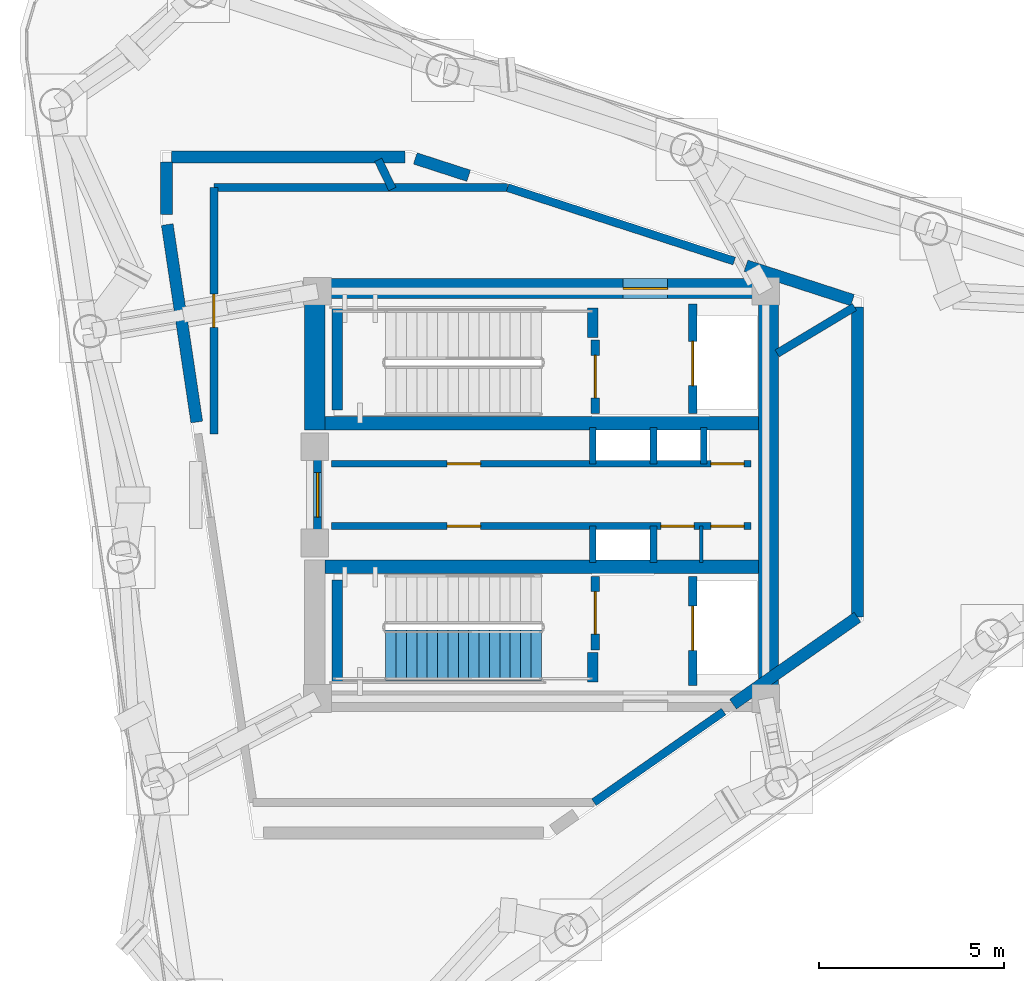
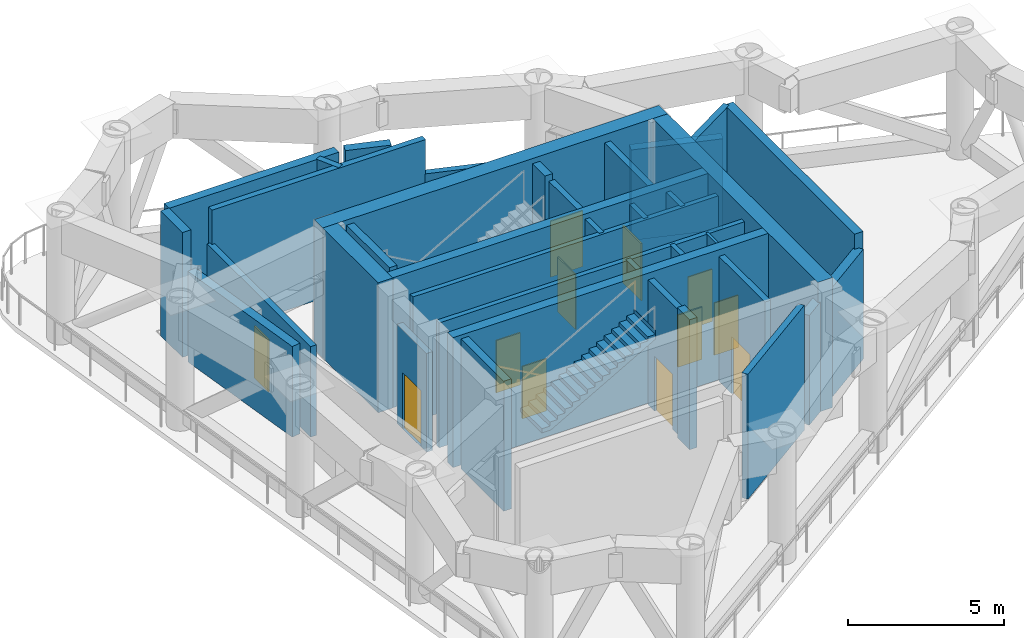
# One storey, part 4 of 9: 35 walls, 12 doors, 1 stair flight, 12 openings, 1 element without a shape of its own.
"""IFC4 building model written with IfcOpenShell, lengths in metres."""

from ifc_helpers import new_model, si_unit, direction, frame, frame_2d, origin, place, context, subcontext, project, spatial, polyline, rectangle, outline, extrude, material, layer, layer_set, type_object, element, fill, aggregate, save


model = new_model("IFC4")

# Units and contexts
model_context = context("Model", 3, precision=1e-05, world=origin(), true_north=direction((0.0, 1.0)))
body_context = subcontext(model_context, "Body", "Model", "MODEL_VIEW")
ifc_project = project(units=[si_unit("LENGTHUNIT", "METRE"), si_unit("AREAUNIT", "SQUARE_METRE"), si_unit("VOLUMEUNIT", "CUBIC_METRE"), si_unit("PLANEANGLEUNIT", "RADIAN"), si_unit("MASSUNIT", "GRAM", prefix="KILO")], contexts=[model_context])

# Site, building, storey
site_placement = place(None, origin())
site = spatial("IfcSite", under=ifc_project, at=site_placement, CompositionType="ELEMENT")
building_placement = place(site_placement, origin())
building = spatial("IfcBuilding", under=site, at=building_placement, Name="Yunling Apex Tower", CompositionType="ELEMENT")
storey_placement = place(building_placement, frame((0.0, 0.0, 284.75)))
storey = spatial("IfcBuildingStorey", under=building, at=storey_placement, Name="RF8", CompositionType="ELEMENT", Elevation=284.75)

# Wall, opening, door
ifc_material_1 = material(Name="Concrete C40", Category="concrete")
ifc_layer_1 = layer(ifc_material_1, 0.550048828125)
ifc_layer_set_1 = layer_set([ifc_layer_1], Name="Concrete C40")
wall_type_1 = type_object("IfcWallType", Name="WL-COR-3", PredefinedType="SHEAR", material=ifc_layer_set_1)
wall_1_placement = place(storey_placement, frame((-6.39990234375, 5.574951171875, 0.0), z_axis=(0.0, 0.0, 1.0), x_axis=(1.0, 0.0, 0.0)))
wall_1 = element("IfcWall", 1, at=wall_1_placement, inside=storey, type_object=wall_type_1, Name="RF8 North Core Shear Wall", PredefinedType="SHEAR", context=body_context, shape_type="SweptSolid", body=[
    extrude(rectangle(XDim=12.7998046875, YDim=0.550048828125, at=frame_2d((6.39990234375, 0.0))), origin(), (0.0, 0.0, 1.0), 5.10009765625),
])
opening_1_placement = place(wall_1_placement, frame((8.60009765625, 0.0, 0.0)))
opening_1 = element("IfcOpeningElement", 2, at=opening_1_placement, cuts=wall_1, Name="Opening DR-FFL-1", PredefinedType="OPENING", context=body_context, shape_type="SweptSolid", body=[
    extrude(rectangle(XDim=1.199951171875, YDim=2.199951171875, at=frame_2d((0.60009765625, 1.10009765625))), frame((0.0, 0.28515625, 0.0), z_axis=(0.0, -1.0, 0.0), x_axis=(1.0, 0.0, 0.0)), (0.0, 0.0, 1.0), 0.570068359375),
])
ifc_material_2 = material(Name="Steel Q355B", Category="steel")
door_type_1 = type_object("IfcDoorType", Name="DR-FFL-1", OperationType="NOTDEFINED", PredefinedType="DOOR", material=ifc_material_2)
door_1_placement = place(opening_1_placement, origin())
door_1 = element("IfcDoor", 3, at=door_1_placement, inside=storey, type_object=door_type_1, Name="RF8 North Firefighting Lobby Door", OperationType="SINGLE_SWING_LEFT", OverallHeight=2.199951171875, OverallWidth=1.199951171875, PredefinedType="DOOR", context=body_context, shape_type="SweptSolid", body=[
    extrude(rectangle(XDim=1.199951171875, YDim=2.199951171875, at=frame_2d((0.60009765625, 1.10009765625))), frame((0.0, 0.02490234375, 0.0), z_axis=(0.0, -1.0, 0.0), x_axis=(1.0, 0.0, 0.0)), (0.0, 0.0, 1.0), 0.050048828125),
])
fill(opening_1, door_1)

# Walls
wall_2_placement = place(storey_placement, frame((6.125, -5.300048828125, 0.0), z_axis=(0.0, 0.0, 1.0), x_axis=(0.0, 1.0, 0.0)))
element("IfcWall", 4, at=wall_2_placement, inside=storey, type_object=wall_type_1, Name="RF8 East Core Shear Wall", PredefinedType="SHEAR", context=body_context, shape_type="SweptSolid", body=[
    extrude(rectangle(XDim=10.60009765625, YDim=0.550048828125, at=frame_2d((5.300048828125, 0.0))), origin(), (0.0, 0.0, 1.0), 5.10009765625),
])
wall_3_placement = place(storey_placement, frame((-6.125, 1.75, 0.0), z_axis=(0.0, 0.0, 1.0), x_axis=(0.0, 1.0, 0.0)))
element("IfcWall", 5, at=wall_3_placement, inside=storey, type_object=wall_type_1, Name="RF8 West-North Core Shear Wall", PredefinedType="SHEAR", context=body_context, shape_type="SweptSolid", body=[
    extrude(rectangle(XDim=3.550048828125, YDim=0.550048828125, at=frame_2d((1.77490234375, 0.0))), origin(), (0.0, 0.0, 1.0), 5.10009765625),
])
ifc_layer_2 = layer(ifc_material_1, 0.360107421875)
ifc_layer_set_2 = layer_set([ifc_layer_2], Name="Concrete C40")
wall_type_2 = type_object("IfcWallType", Name="WL-COR-4", PredefinedType="SHEAR", material=ifc_layer_set_2)
for number, where, z_axis, x_axis, name in (
    (6, (-5.85009765625, 1.93994140625, 0.0), (0.0, 0.0, 1.0), (1.0, 0.0, 0.0), "RF8 North Internal Core Shear Wall"),
    (7, (-5.85009765625, -1.93994140625, 0.0), (0.0, 0.0, 1.0), (1.0, 0.0, 0.0), "RF8 South Internal Core Shear Wall"),
):
    element("IfcWall", number, at=place(storey_placement, frame(where, z_axis=z_axis, x_axis=x_axis)), inside=storey, type_object=wall_type_2, Name=name, PredefinedType="SHEAR", context=body_context, shape_type="SweptSolid", body=[
        extrude(rectangle(XDim=11.7001953125, YDim=0.360107421875, at=frame_2d((5.85009765625, 0.0))), origin(), (0.0, 0.0, 1.0), 5.10009765625),
    ])
ifc_layer_3 = layer(ifc_material_1, 0.280029296875)
ifc_layer_set_3 = layer_set([ifc_layer_3], Name="Concrete C40")
wall_type_3 = type_object("IfcWallType", Name="WL-COR-8", PredefinedType="SHEAR", material=ifc_layer_set_3)
wall_4_placement = place(storey_placement, frame((-5.52001953125, 2.300048828125, 0.0), z_axis=(0.0, 0.0, 1.0), x_axis=(0.0, 1.0, 0.0)))
element("IfcWall", 8, at=wall_4_placement, inside=storey, type_object=wall_type_3, Name="RF8 ST-1 West Landing Bearing Wall", PredefinedType="SHEAR", context=body_context, shape_type="SweptSolid", body=[
    extrude(rectangle(XDim=2.75, YDim=0.280029296875, at=frame_2d((1.375, 0.0))), origin(), (0.0, 0.0, 1.0), 5.10009765625),
])
wall_5_placement = place(storey_placement, frame((1.3798828125, 4.25, 0.0), z_axis=(0.0, 0.0, 1.0), x_axis=(0.0, 1.0, 0.0)))
element("IfcWall", 9, at=wall_5_placement, inside=storey, type_object=wall_type_3, Name="RF8 ST-1 East Landing Bearing Pier", PredefinedType="SHEAR", context=body_context, shape_type="SweptSolid", body=[
    extrude(rectangle(XDim=0.800048828125, YDim=0.280029296875, at=frame_2d((0.39990234375, 0.0))), origin(), (0.0, 0.0, 1.0), 5.10009765625),
])
wall_6_placement = place(storey_placement, frame((-5.52001953125, -5.050048828125, 0.0), z_axis=(0.0, 0.0, 1.0), x_axis=(0.0, 1.0, 0.0)))
element("IfcWall", 10, at=wall_6_placement, inside=storey, type_object=wall_type_3, Name="RF8 ST-2 West Landing Bearing Wall", PredefinedType="SHEAR", context=body_context, shape_type="SweptSolid", body=[
    extrude(rectangle(XDim=2.75, YDim=0.280029296875, at=frame_2d((1.375, 0.0))), origin(), (0.0, 0.0, 1.0), 5.10009765625),
])
wall_7_placement = place(storey_placement, frame((1.3798828125, -5.050048828125, 0.0), z_axis=(0.0, 0.0, 1.0), x_axis=(0.0, 1.0, 0.0)))
element("IfcWall", 11, at=wall_7_placement, inside=storey, type_object=wall_type_3, Name="RF8 ST-2 East Landing Bearing Pier", PredefinedType="SHEAR", context=body_context, shape_type="SweptSolid", body=[
    extrude(rectangle(XDim=0.800048828125, YDim=0.280029296875, at=frame_2d((0.39990234375, 0.0))), origin(), (0.0, 0.0, 1.0), 5.10009765625),
])
ifc_material_3 = material(Name="Precast concrete C40", Category="concrete")
ifc_layer_4 = layer(ifc_material_3, 0.320068359375)
ifc_layer_set_4 = layer_set([ifc_layer_4], Name="Precast concrete C40")
wall_type_4 = type_object("IfcWallType", Name="WL-EXT-1", PredefinedType="SOLIDWALL", material=ifc_layer_set_4)
wall_8_placement = place(storey_placement, frame((8.530029296875, -3.300048828125, 0.0), z_axis=(0.0, 0.0, 1.0), x_axis=(-0.819550503735, -0.573006956177, 0.0)))
element("IfcWall", 12, at=wall_8_placement, inside=storey, type_object=wall_type_4, Name="WL-RF8-IR-01", PredefinedType="SOLIDWALL", context=body_context, shape_type="SweptSolid", body=[
    extrude(rectangle(XDim=4.1025390625, YDim=0.320068359375, at=frame_2d((2.05126953125, 0.0))), origin(), (0.0, 0.0, 1.0), 4.304931640625),
])
wall_9_placement = place(storey_placement, frame((-9.312255859375, 1.96875, 0.0), z_axis=(0.0, 0.0, 1.0), x_axis=(-0.147820166873, 0.989014255846, 0.0)))
element("IfcWall", 13, at=wall_9_placement, inside=storey, type_object=wall_type_4, Name="WL-RF8-IR-04", PredefinedType="SOLIDWALL", context=body_context, shape_type="SweptSolid", body=[
    extrude(rectangle(XDim=5.392578125, YDim=0.320068359375, at=frame_2d((2.6962890625, 0.0))), origin(), (0.0, 0.0, 1.0), 3.554931640625),
])
wall_10_placement = place(storey_placement, frame((-10.1298828125, 7.580322265625, 0.0), z_axis=(0.0, 0.0, 1.0), x_axis=(0.0, 1.0, 0.0)))
element("IfcWall", 14, at=wall_10_placement, inside=storey, type_object=wall_type_4, Name="WL-RF8-IR-05", PredefinedType="SOLIDWALL", context=body_context, shape_type="SweptSolid", body=[
    extrude(rectangle(XDim=1.40966796875, YDim=0.320068359375, at=frame_2d((0.704833984375, 0.0))), origin(), (0.0, 0.0, 1.0), 4.89990234375),
])
wall_11_placement = place(storey_placement, frame((-9.989990234375, 9.1298828125, 0.0), z_axis=(0.0, 0.0, 1.0), x_axis=(1.0, 0.0, 0.0)))
element("IfcWall", 15, at=wall_11_placement, inside=storey, type_object=wall_type_4, Name="WL-RF8-IR-06", PredefinedType="SOLIDWALL", context=body_context, shape_type="SweptSolid", body=[
    extrude(rectangle(XDim=6.305908203125, YDim=0.320068359375, at=frame_2d((3.15283203125, 0.0))), origin(), (0.0, 0.0, 1.0), 4.89990234375),
])
wall_12_placement = place(storey_placement, frame((-3.410888671875, 9.0869140625, 0.0), z_axis=(0.0, 0.0, 1.0), x_axis=(0.951279079294, -0.308331174709, 0.0)))
element("IfcWall", 16, at=wall_12_placement, inside=storey, type_object=wall_type_4, Name="WL-RF8-IR-07", PredefinedType="SOLIDWALL", context=body_context, shape_type="SweptSolid", body=[
    extrude(rectangle(XDim=1.513916015625, YDim=0.320068359375, at=frame_2d((0.7568359375, 0.0))), origin(), (0.0, 0.0, 1.0), 4.89990234375),
])
wall_13_placement = place(storey_placement, frame((5.52001953125, 6.19189453125, 0.0), z_axis=(0.0, 0.0, 1.0), x_axis=(0.951258669453, -0.308394137088, 0.0)))
element("IfcWall", 17, at=wall_13_placement, inside=storey, type_object=wall_type_4, Name="WL-RF8-IR-08", PredefinedType="SOLIDWALL", context=body_context, shape_type="SweptSolid", body=[
    extrude(rectangle(XDim=3.024169921875, YDim=0.320068359375, at=frame_2d((1.51220703125, 0.0))), origin(), (0.0, 0.0, 1.0), 3.554931640625),
])
wall_14_placement = place(storey_placement, frame((8.530029296875, 5.076171875, 0.0), z_axis=(0.0, 0.0, 1.0), x_axis=(0.0, -1.0, 0.0)))
element("IfcWall", 18, at=wall_14_placement, inside=storey, type_object=wall_type_4, Name="WL-RF8-IR-09", PredefinedType="SOLIDWALL", context=body_context, shape_type="SweptSolid", body=[
    extrude(rectangle(XDim=8.376220703125, YDim=0.320068359375, at=frame_2d((4.18798828125, 0.0))), origin(), (0.0, 0.0, 1.0), 4.89990234375),
])
ifc_material_4 = material(Name="Gypsum board acoustic partition")
ifc_layer_5 = layer(ifc_material_4, 0.10009765625)
ifc_layer_set_5 = layer_set([ifc_layer_5], Name="Gypsum board acoustic partition")
wall_type_5 = type_object("IfcWallType", Name="WL-PRT-4", PredefinedType="PARTITIONING", material=ifc_layer_set_5)
wall_15_placement = place(storey_placement, frame((4.31005859375, -1.820068359375, 0.0), z_axis=(0.0, 0.0, 1.0), x_axis=(0.0, 1.0, 0.0)))
element("IfcWall", 19, at=wall_15_placement, inside=storey, type_object=wall_type_5, Name="WL-KCDIV-RF8", PredefinedType="PARTITIONING", context=body_context, shape_type="SweptSolid", body=[
    extrude(rectangle(XDim=0.97998046875, YDim=0.10009765625, at=frame_2d((0.489990234375, 0.0))), origin(), (0.0, 0.0, 1.0), 4.89990234375),
])

# Wall, opening, door
ifc_material_5 = material(Name="Autoclaved aerated concrete masonry", Category="masonry")
ifc_layer_6 = layer(ifc_material_5, 0.219970703125)
ifc_layer_set_6 = layer_set([ifc_layer_6], Name="Autoclaved aerated concrete masonry")
wall_type_6 = type_object("IfcWallType", Name="WL-SHF-1", PredefinedType="PLUMBINGWALL", material=ifc_layer_set_6)
wall_16_placement = place(storey_placement, frame((-6.050048828125, -0.949951171875, 0.0), z_axis=(0.0, 0.0, 1.0), x_axis=(0.0, 1.0, 0.0)))
wall_16 = element("IfcWall", 20, at=wall_16_placement, inside=storey, type_object=wall_type_6, Name="WL-COR-WPORT-RF8", PredefinedType="PLUMBINGWALL", context=body_context, shape_type="SweptSolid", body=[
    extrude(rectangle(XDim=1.89990234375, YDim=0.219970703125, at=frame_2d((0.949951171875, 0.0))), origin(), (0.0, 0.0, 1.0), 3.8798828125),
])
opening_2_placement = place(wall_16_placement, frame((0.35009765625, 0.0, 0.0)))
opening_2 = element("IfcOpeningElement", 21, at=opening_2_placement, cuts=wall_16, Name="Opening DR-FFL-1", PredefinedType="OPENING", context=body_context, shape_type="SweptSolid", body=[
    extrude(rectangle(XDim=1.199951171875, YDim=2.199951171875, at=frame_2d((0.60009765625, 1.10009765625))), frame((0.0, 0.1201171875, 0.0), z_axis=(0.0, -1.0, 0.0), x_axis=(1.0, 0.0, 0.0)), (0.0, 0.0, 1.0), 0.239990234375),
])
door_2_placement = place(opening_2_placement, origin())
door_2 = element("IfcDoor", 22, at=door_2_placement, inside=storey, type_object=door_type_1, Name="RF8 Passenger Lift Lobby Entrance Door", OperationType="SINGLE_SWING_LEFT", OverallHeight=2.199951171875, OverallWidth=1.199951171875, PredefinedType="DOOR", context=body_context, shape_type="SweptSolid", body=[
    extrude(rectangle(XDim=1.199951171875, YDim=2.199951171875, at=frame_2d((0.60009765625, 1.10009765625))), frame((0.0, 0.02490234375, 0.0), z_axis=(0.0, -1.0, 0.0), x_axis=(1.0, 0.0, 0.0)), (0.0, 0.0, 1.0), 0.050048828125),
])
fill(opening_2, door_2)

wall_17_placement = place(storey_placement, frame((1.449951171875, 2.199951171875, 0.0), z_axis=(0.0, 0.0, 1.0), x_axis=(0.0, 1.0, 0.0)))
wall_17 = element("IfcWall", 23, at=wall_17_placement, inside=storey, type_object=wall_type_6, Name="WL-ST1-E-RF8", PredefinedType="PLUMBINGWALL", context=body_context, shape_type="SweptSolid", body=[
    extrude(rectangle(XDim=1.97998046875, YDim=0.219970703125, at=frame_2d((0.989990234375, 0.0))), origin(), (0.0, 0.0, 1.0), 4.89990234375),
])
opening_3_placement = place(wall_17_placement, frame((0.419921875, 0.0, 0.0)))
opening_3 = element("IfcOpeningElement", 24, at=opening_3_placement, cuts=wall_17, Name="Opening DR-ST-1", PredefinedType="OPENING", context=body_context, shape_type="SweptSolid", body=[
    extrude(rectangle(XDim=1.14990234375, YDim=2.14990234375, at=frame_2d((0.574951171875, 1.074951171875))), frame((0.0, 0.1201171875, 0.0), z_axis=(0.0, -1.0, 0.0), x_axis=(1.0, 0.0, 0.0)), (0.0, 0.0, 1.0), 0.239990234375),
])
door_type_2 = type_object("IfcDoorType", Name="DR-ST-1", OperationType="NOTDEFINED", PredefinedType="DOOR", material=ifc_material_2)
door_3_placement = place(opening_3_placement, origin())
door_3 = element("IfcDoor", 25, at=door_3_placement, inside=storey, type_object=door_type_2, Name="RF8 Stair ST-1 Fire Door", OperationType="SINGLE_SWING_LEFT", OverallHeight=2.14990234375, OverallWidth=1.14990234375, PredefinedType="DOOR", context=body_context, shape_type="SweptSolid", body=[
    extrude(rectangle(XDim=1.14990234375, YDim=2.14990234375, at=frame_2d((0.574951171875, 1.074951171875))), frame((0.0, 0.02490234375, 0.0), z_axis=(0.0, -1.0, 0.0), x_axis=(1.0, 0.0, 0.0)), (0.0, 0.0, 1.0), 0.050048828125),
])
fill(opening_3, door_3)

wall_18_placement = place(storey_placement, frame((4.080078125, 2.199951171875, 0.0), z_axis=(0.0, 0.0, 1.0), x_axis=(0.0, 1.0, 0.0)))
wall_18 = element("IfcWall", 26, at=wall_18_placement, inside=storey, type_object=wall_type_6, Name="WL-FFL1-W-RF8", PredefinedType="PLUMBINGWALL", context=body_context, shape_type="SweptSolid", body=[
    extrude(rectangle(XDim=2.949951171875, YDim=0.219970703125, at=frame_2d((1.47509765625, 0.0))), origin(), (0.0, 0.0, 1.0), 4.89990234375),
])
opening_4_placement = place(wall_18_placement, frame((0.75, 0.0, 0.0)))
opening_4 = element("IfcOpeningElement", 27, at=opening_4_placement, cuts=wall_18, Name="Opening LD-FFL-1", PredefinedType="OPENING", context=body_context, shape_type="SweptSolid", body=[
    extrude(rectangle(XDim=1.199951171875, YDim=2.25, at=frame_2d((0.60009765625, 1.125))), frame((0.0, 0.1201171875, 0.0), z_axis=(0.0, -1.0, 0.0), x_axis=(1.0, 0.0, 0.0)), (0.0, 0.0, 1.0), 0.239990234375),
])
door_type_3 = type_object("IfcDoorType", Name="LD-FFL-1", OperationType="DOUBLE_DOOR_SLIDING", PredefinedType="DOOR", material=ifc_material_2)
door_4_placement = place(opening_4_placement, origin())
door_4 = element("IfcDoor", 28, at=door_4_placement, inside=storey, type_object=door_type_3, Name="RF8 Lift FFL-1 Landing Door", OperationType="DOUBLE_DOOR_SLIDING", OverallHeight=2.25, OverallWidth=1.199951171875, PredefinedType="DOOR", context=body_context, shape_type="SweptSolid", body=[
    extrude(rectangle(XDim=1.199951171875, YDim=2.25, at=frame_2d((0.60009765625, 1.125))), frame((0.0, 0.02490234375, 0.0), z_axis=(0.0, -1.0, 0.0), x_axis=(1.0, 0.0, 0.0)), (0.0, 0.0, 1.0), 0.050048828125),
])
fill(opening_4, door_4)

wall_19_placement = place(storey_placement, frame((1.449951171875, -4.179931640625, 0.0), z_axis=(0.0, 0.0, 1.0), x_axis=(0.0, 1.0, 0.0)))
wall_19 = element("IfcWall", 29, at=wall_19_placement, inside=storey, type_object=wall_type_6, Name="WL-ST2-E-RF8", PredefinedType="PLUMBINGWALL", context=body_context, shape_type="SweptSolid", body=[
    extrude(rectangle(XDim=1.97998046875, YDim=0.219970703125, at=frame_2d((0.989990234375, 0.0))), origin(), (0.0, 0.0, 1.0), 4.89990234375),
])
opening_5_placement = place(wall_19_placement, frame((0.419921875, 0.0, 0.0)))
opening_5 = element("IfcOpeningElement", 30, at=opening_5_placement, cuts=wall_19, Name="Opening DR-ST-1", PredefinedType="OPENING", context=body_context, shape_type="SweptSolid", body=[
    extrude(rectangle(XDim=1.14990234375, YDim=2.14990234375, at=frame_2d((0.574951171875, 1.074951171875))), frame((0.0, 0.1201171875, 0.0), z_axis=(0.0, -1.0, 0.0), x_axis=(1.0, 0.0, 0.0)), (0.0, 0.0, 1.0), 0.239990234375),
])
door_5_placement = place(opening_5_placement, origin())
door_5 = element("IfcDoor", 31, at=door_5_placement, inside=storey, type_object=door_type_2, Name="RF8 Stair ST-2 Fire Door", OperationType="SINGLE_SWING_RIGHT", OverallHeight=2.14990234375, OverallWidth=1.14990234375, PredefinedType="DOOR", context=body_context, shape_type="SweptSolid", body=[
    extrude(rectangle(XDim=1.14990234375, YDim=2.14990234375, at=frame_2d((0.574951171875, 1.074951171875))), frame((0.0, 0.02490234375, 0.0), z_axis=(0.0, -1.0, 0.0), x_axis=(1.0, 0.0, 0.0)), (0.0, 0.0, 1.0), 0.050048828125),
])
fill(opening_5, door_5)

wall_20_placement = place(storey_placement, frame((4.080078125, -5.14990234375, 0.0), z_axis=(0.0, 0.0, 1.0), x_axis=(0.0, 1.0, 0.0)))
wall_20 = element("IfcWall", 32, at=wall_20_placement, inside=storey, type_object=wall_type_6, Name="WL-FFL2-W-RF8", PredefinedType="PLUMBINGWALL", context=body_context, shape_type="SweptSolid", body=[
    extrude(rectangle(XDim=2.949951171875, YDim=0.219970703125, at=frame_2d((1.47509765625, 0.0))), origin(), (0.0, 0.0, 1.0), 4.89990234375),
])
opening_6_placement = place(wall_20_placement, frame((0.949951171875, 0.0, 0.0)))
opening_6 = element("IfcOpeningElement", 33, at=opening_6_placement, cuts=wall_20, Name="Opening LD-FFL-1", PredefinedType="OPENING", context=body_context, shape_type="SweptSolid", body=[
    extrude(rectangle(XDim=1.199951171875, YDim=2.25, at=frame_2d((0.60009765625, 1.125))), frame((0.0, 0.1201171875, 0.0), z_axis=(0.0, -1.0, 0.0), x_axis=(1.0, 0.0, 0.0)), (0.0, 0.0, 1.0), 0.239990234375),
])
door_6_placement = place(opening_6_placement, origin())
door_6 = element("IfcDoor", 34, at=door_6_placement, inside=storey, type_object=door_type_3, Name="RF8 Lift FFL-2 Landing Door", OperationType="DOUBLE_DOOR_SLIDING", OverallHeight=2.25, OverallWidth=1.199951171875, PredefinedType="DOOR", context=body_context, shape_type="SweptSolid", body=[
    extrude(rectangle(XDim=1.199951171875, YDim=2.25, at=frame_2d((0.60009765625, 1.125))), frame((0.0, 0.02490234375, 0.0), z_axis=(0.0, -1.0, 0.0), x_axis=(1.0, 0.0, 0.0)), (0.0, 0.0, 1.0), 0.050048828125),
])
fill(opening_6, door_6)

# Walls
wall_21_placement = place(storey_placement, frame((6.360107421875, 3.821533203125, 0.0), z_axis=(0.0, 0.0, 1.0), x_axis=(0.857139312481, 0.515084652266, 0.0)))
element("IfcWall", 35, at=wall_21_placement, inside=storey, type_object=wall_type_6, Name="WL-RF8-PDIV-31", PredefinedType="PLUMBINGWALL", context=body_context, shape_type="SweptSolid", body=[
    extrude(rectangle(XDim=2.438232421875, YDim=0.219970703125, at=frame_2d((1.21923828125, 0.0))), origin(), (0.0, 0.0, 1.0), 4.89990234375),
])
wall_22_placement = place(storey_placement, frame((-4.02880859375, 8.260009765625, 0.0), z_axis=(0.0, 0.0, 1.0), x_axis=(-0.438303234839, 0.898827165994, 0.0)))
element("IfcWall", 36, at=wall_22_placement, inside=storey, type_object=wall_type_6, Name="WL-RF8-PDIV-116", PredefinedType="PLUMBINGWALL", context=body_context, shape_type="SweptSolid", body=[
    extrude(rectangle(XDim=0.87890625, YDim=0.219970703125, at=frame_2d((0.439453125, 0.0))), origin(), (0.0, 0.0, 1.0), 4.89990234375),
])
wall_23_placement = place(storey_placement, frame((4.917724609375, -5.85009765625, 0.0), z_axis=(0.0, 0.0, 1.0), x_axis=(-0.81955637791, -0.572998554472, 0.0)))
element("IfcWall", 37, at=wall_23_placement, inside=storey, type_object=wall_type_6, Name="WL-RF8-PCR-02", PredefinedType="PLUMBINGWALL", context=body_context, shape_type="SweptSolid", body=[
    extrude(rectangle(XDim=4.275634765625, YDim=0.219970703125, at=frame_2d((2.1376953125, 0.0))), origin(), (0.0, 0.0, 1.0), 4.89990234375),
])

# Wall, opening, door
wall_24_placement = place(storey_placement, frame((-8.85009765625, 1.64990234375, 0.0), z_axis=(0.0, 0.0, 1.0), x_axis=(0.0, 1.0, 0.0)))
wall_24 = element("IfcWall", 38, at=wall_24_placement, inside=storey, type_object=wall_type_6, Name="WL-RF8-PCR-06", PredefinedType="PLUMBINGWALL", context=body_context, shape_type="SweptSolid", body=[
    extrude(rectangle(XDim=6.650146484375, YDim=0.219970703125, at=frame_2d((3.3251953125, 0.0))), origin(), (0.0, 0.0, 1.0), 3.554931640625),
])
opening_7_placement = place(wall_24_placement, frame((2.875, 0.0, 0.0)))
opening_7 = element("IfcOpeningElement", 39, at=opening_7_placement, cuts=wall_24, Name="Opening DR-SHF-1", PredefinedType="OPENING", context=body_context, shape_type="SweptSolid", body=[
    extrude(rectangle(XDim=0.89990234375, YDim=2.050048828125, at=frame_2d((0.449951171875, 1.02490234375))), frame((0.0, 0.1201171875, 0.0), z_axis=(0.0, -1.0, 0.0), x_axis=(1.0, 0.0, 0.0)), (0.0, 0.0, 1.0), 0.239990234375),
])
door_type_4 = type_object("IfcDoorType", Name="DR-SHF-1", OperationType="NOTDEFINED", PredefinedType="DOOR", material=ifc_material_2)
door_7_placement = place(opening_7_placement, origin())
door_7 = element("IfcDoor", 40, at=door_7_placement, inside=storey, type_object=door_type_4, Name="RF8 Dedicated Outdoor Air AHU Fan Plant Room Door", OperationType="SINGLE_SWING_LEFT", OverallHeight=2.050048828125, OverallWidth=0.89990234375, PredefinedType="DOOR", context=body_context, shape_type="SweptSolid", body=[
    extrude(rectangle(XDim=0.89990234375, YDim=2.050048828125, at=frame_2d((0.449951171875, 1.02490234375))), frame((0.0, 0.02490234375, 0.0), z_axis=(0.0, -1.0, 0.0), x_axis=(1.0, 0.0, 0.0)), (0.0, 0.0, 1.0), 0.050048828125),
])
fill(opening_7, door_7)

# Walls
wall_25_placement = place(storey_placement, frame((-8.85009765625, 8.300048828125, 0.0), z_axis=(0.0, 0.0, 1.0), x_axis=(1.0, 0.0, 0.0)))
element("IfcWall", 41, at=wall_25_placement, inside=storey, type_object=wall_type_6, Name="WL-RF8-PCR-07", PredefinedType="PLUMBINGWALL", context=body_context, shape_type="SweptSolid", body=[
    extrude(rectangle(XDim=7.931396484375, YDim=0.219970703125, at=frame_2d((3.9658203125, 0.0))), origin(), (0.0, 0.0, 1.0), 4.89990234375),
])
wall_26_placement = place(storey_placement, frame((-0.918701171875, 8.300048828125, 0.0), z_axis=(0.0, 0.0, 1.0), x_axis=(0.951269770825, -0.308359892195, 0.0)))
element("IfcWall", 42, at=wall_26_placement, inside=storey, type_object=wall_type_6, Name="WL-RF8-PCR-08", PredefinedType="PLUMBINGWALL", context=body_context, shape_type="SweptSolid", body=[
    extrude(rectangle(XDim=6.43212890625, YDim=0.219970703125, at=frame_2d((3.216064453125, 0.0))), origin(), (0.0, 0.0, 1.0), 3.554931640625),
])
ifc_layer_7 = layer(ifc_material_5, 0.179931640625)
ifc_layer_set_7 = layer_set([ifc_layer_7], Name="Autoclaved aerated concrete masonry")
wall_type_7 = type_object("IfcWallType", Name="WL-SHF-2", PredefinedType="PLUMBINGWALL", material=ifc_layer_set_7)
for number, where, z_axis, x_axis, name in (
    (43, (1.3798828125, 0.840087890625, 0.0), (0.0, 0.0, 1.0), (0.0, 1.0, 0.0), "WL-BNK-MH-N-RF8"),
    (44, (1.3798828125, -1.820068359375, 0.0), (0.0, 0.0, 1.0), (0.0, 1.0, 0.0), "WL-BNK-MH-S-RF8"),
    (45, (3.02001953125, 0.840087890625, 0.0), (0.0, 0.0, 1.0), (0.0, 1.0, 0.0), "WL-DIV-H13-RF8"),
    (46, (4.3798828125, 0.840087890625, 0.0), (0.0, 0.0, 1.0), (0.0, 1.0, 0.0), "WL-END-H3E-RF8"),
    (47, (3.02001953125, -1.820068359375, 0.0), (0.0, 0.0, 1.0), (0.0, 1.0, 0.0), "WL-END-H2E-RF8"),
):
    element("IfcWall", number, at=place(storey_placement, frame(where, z_axis=z_axis, x_axis=x_axis)), inside=storey, type_object=wall_type_7, Name=name, PredefinedType="PLUMBINGWALL", context=body_context, shape_type="SweptSolid", body=[
        extrude(rectangle(XDim=0.97998046875, YDim=0.179931640625, at=frame_2d((0.489990234375, 0.0))), origin(), (0.0, 0.0, 1.0), 4.89990234375),
    ])

# Wall, openings, doors
wall_27_placement = place(storey_placement, frame((-5.679931640625, 0.840087890625, 0.0), z_axis=(0.0, 0.0, 1.0), x_axis=(1.0, 0.0, 0.0)))
wall_27 = element("IfcWall", 48, at=wall_27_placement, inside=storey, type_object=wall_type_7, Name="WL-LOB-N-RF8", PredefinedType="PLUMBINGWALL", context=body_context, shape_type="SweptSolid", body=[
    extrude(rectangle(XDim=11.329833984375, YDim=0.179931640625, at=frame_2d((5.6650390625, 0.0))), origin(), (0.0, 0.0, 1.0), 4.89990234375),
])
opening_8_placement = place(wall_27_placement, frame((3.1298828125, 0.0, 0.0)))
opening_8 = element("IfcOpeningElement", 49, at=opening_8_placement, cuts=wall_27, Name="Opening DR-SHF-1", PredefinedType="OPENING", context=body_context, shape_type="SweptSolid", body=[
    extrude(rectangle(XDim=0.89990234375, YDim=2.050048828125, at=frame_2d((0.449951171875, 1.02490234375))), frame((0.0, 0.10009765625, 0.0), z_axis=(0.0, -1.0, 0.0), x_axis=(1.0, 0.0, 0.0)), (0.0, 0.0, 1.0), 0.199951171875),
])
opening_9_placement = place(wall_27_placement, frame((10.25, 0.0, 0.0)))
opening_9 = element("IfcOpeningElement", 50, at=opening_9_placement, cuts=wall_27, Name="Opening DR-SHF-1", PredefinedType="OPENING", context=body_context, shape_type="SweptSolid", body=[
    extrude(rectangle(XDim=0.89990234375, YDim=2.050048828125, at=frame_2d((0.449951171875, 1.02490234375))), frame((0.0, 0.10009765625, 0.0), z_axis=(0.0, -1.0, 0.0), x_axis=(1.0, 0.0, 0.0)), (0.0, 0.0, 1.0), 0.199951171875),
])
door_8_placement = place(opening_8_placement, origin())
door_8 = element("IfcDoor", 51, at=door_8_placement, inside=storey, type_object=door_type_4, Name="RF8 Data Plant Door", OperationType="SINGLE_SWING_LEFT", OverallHeight=2.050048828125, OverallWidth=0.89990234375, PredefinedType="DOOR", context=body_context, shape_type="SweptSolid", body=[
    extrude(rectangle(XDim=0.89990234375, YDim=2.050048828125, at=frame_2d((0.449951171875, 1.02490234375))), frame((0.0, 0.02490234375, 0.0), z_axis=(0.0, -1.0, 0.0), x_axis=(1.0, 0.0, 0.0)), (0.0, 0.0, 1.0), 0.050048828125),
])
fill(opening_8, door_8)
door_9_placement = place(opening_9_placement, origin())
door_9 = element("IfcDoor", 52, at=door_9_placement, inside=storey, type_object=door_type_4, Name="RF8 Floor Supply Store Door", OperationType="SINGLE_SWING_RIGHT", OverallHeight=2.050048828125, OverallWidth=0.89990234375, PredefinedType="DOOR", context=body_context, shape_type="SweptSolid", body=[
    extrude(rectangle(XDim=0.89990234375, YDim=2.050048828125, at=frame_2d((0.449951171875, 1.02490234375))), frame((0.0, 0.02490234375, 0.0), z_axis=(0.0, -1.0, 0.0), x_axis=(1.0, 0.0, 0.0)), (0.0, 0.0, 1.0), 0.050048828125),
])
fill(opening_9, door_9)

wall_28_placement = place(storey_placement, frame((-5.679931640625, -0.840087890625, 0.0), z_axis=(0.0, 0.0, 1.0), x_axis=(1.0, 0.0, 0.0)))
wall_28 = element("IfcWall", 53, at=wall_28_placement, inside=storey, type_object=wall_type_7, Name="WL-LOB-S-RF8", PredefinedType="PLUMBINGWALL", context=body_context, shape_type="SweptSolid", body=[
    extrude(rectangle(XDim=11.329833984375, YDim=0.179931640625, at=frame_2d((5.6650390625, 0.0))), origin(), (0.0, 0.0, 1.0), 4.89990234375),
])
opening_10_placement = place(wall_28_placement, frame((3.1298828125, 0.0, 0.0)))
opening_10 = element("IfcOpeningElement", 54, at=opening_10_placement, cuts=wall_28, Name="Opening DR-SHF-1", PredefinedType="OPENING", context=body_context, shape_type="SweptSolid", body=[
    extrude(rectangle(XDim=0.89990234375, YDim=2.050048828125, at=frame_2d((0.449951171875, 1.02490234375))), frame((0.0, 0.10009765625, 0.0), z_axis=(0.0, -1.0, 0.0), x_axis=(1.0, 0.0, 0.0)), (0.0, 0.0, 1.0), 0.199951171875),
])
opening_11_placement = place(wall_28_placement, frame((8.89990234375, 0.0, 0.0)))
opening_11 = element("IfcOpeningElement", 55, at=opening_11_placement, cuts=wall_28, Name="Opening DR-SHF-1", PredefinedType="OPENING", context=body_context, shape_type="SweptSolid", body=[
    extrude(rectangle(XDim=0.89990234375, YDim=2.050048828125, at=frame_2d((0.449951171875, 1.02490234375))), frame((0.0, 0.10009765625, 0.0), z_axis=(0.0, -1.0, 0.0), x_axis=(1.0, 0.0, 0.0)), (0.0, 0.0, 1.0), 0.199951171875),
])
opening_12_placement = place(wall_28_placement, frame((10.25, 0.0, 0.0)))
opening_12 = element("IfcOpeningElement", 56, at=opening_12_placement, cuts=wall_28, Name="Opening DR-SHF-1", PredefinedType="OPENING", context=body_context, shape_type="SweptSolid", body=[
    extrude(rectangle(XDim=0.89990234375, YDim=2.050048828125, at=frame_2d((0.449951171875, 1.02490234375))), frame((0.0, 0.10009765625, 0.0), z_axis=(0.0, -1.0, 0.0), x_axis=(1.0, 0.0, 0.0)), (0.0, 0.0, 1.0), 0.199951171875),
])
door_10_placement = place(opening_10_placement, origin())
door_10 = element("IfcDoor", 57, at=door_10_placement, inside=storey, type_object=door_type_4, Name="RF8 Housekeeping Store Door", OperationType="SINGLE_SWING_LEFT", OverallHeight=2.050048828125, OverallWidth=0.89990234375, PredefinedType="DOOR", context=body_context, shape_type="SweptSolid", body=[
    extrude(rectangle(XDim=0.89990234375, YDim=2.050048828125, at=frame_2d((0.449951171875, 1.02490234375))), frame((0.0, 0.02490234375, 0.0), z_axis=(0.0, -1.0, 0.0), x_axis=(1.0, 0.0, 0.0)), (0.0, 0.0, 1.0), 0.050048828125),
])
fill(opening_10, door_10)
door_11_placement = place(opening_11_placement, origin())
door_11 = element("IfcDoor", 58, at=door_11_placement, inside=storey, type_object=door_type_4, Name="RF8 LV Closet Door", OperationType="SINGLE_SWING_RIGHT", OverallHeight=2.050048828125, OverallWidth=0.89990234375, PredefinedType="DOOR", context=body_context, shape_type="SweptSolid", body=[
    extrude(rectangle(XDim=0.89990234375, YDim=2.050048828125, at=frame_2d((0.449951171875, 1.02490234375))), frame((0.0, 0.02490234375, 0.0), z_axis=(0.0, -1.0, 0.0), x_axis=(1.0, 0.0, 0.0)), (0.0, 0.0, 1.0), 0.050048828125),
])
fill(opening_11, door_11)
door_12_placement = place(opening_12_placement, origin())
door_12 = element("IfcDoor", 59, at=door_12_placement, inside=storey, type_object=door_type_4, Name="RF8 Standpipe Closet Door", OperationType="SINGLE_SWING_LEFT", OverallHeight=2.050048828125, OverallWidth=0.89990234375, PredefinedType="DOOR", context=body_context, shape_type="SweptSolid", body=[
    extrude(rectangle(XDim=0.89990234375, YDim=2.050048828125, at=frame_2d((0.449951171875, 1.02490234375))), frame((0.0, 0.02490234375, 0.0), z_axis=(0.0, -1.0, 0.0), x_axis=(1.0, 0.0, 0.0)), (0.0, 0.0, 1.0), 0.050048828125),
])
fill(opening_12, door_12)

# Stair, stair flight
stair_type = type_object("IfcStairType", Name="ST-TWR-1", PredefinedType="HALF_TURN_STAIR", material=ifc_material_1)
stair_placement = place(storey_placement, origin())
stair = element("IfcStair", 60, at=stair_placement, inside=storey, type_object=stair_type, Name="RF8 South Core Smokeproof Exit Stair ST-2", PredefinedType="HALF_TURN_STAIR")
stair_flight_type = type_object("IfcStairFlightType", Name="SFL-TWR-1", PredefinedType="STRAIGHT", material=ifc_material_1)
stair_flight_placement = place(storey_placement, frame((-4.2099609375, -4.330078125, 2.550048828125), z_axis=(0.0, 0.0, 1.0), x_axis=(1.0, 0.0, 0.0)))
stair_flight = element("IfcStairFlight", 61, at=stair_flight_placement, type_object=stair_flight_type, Name="ST-2 flight 2", NumberOfRisers=16, NumberOfTreads=15, PredefinedType="STRAIGHT", RiserHeight=0.159375, TreadLength=0.28, context=body_context, shape_type="SweptSolid", body=[
    extrude(outline(polyline([(-0.011962890625, 0.0), (-0.011962890625, 0.159423828125), (0.0, 0.159423828125), (0.280029296875, 0.159423828125), (0.280029296875, 0.31884765625), (0.56005859375, 0.31884765625), (0.56005859375, 0.47802734375), (0.840087890625, 0.47802734375), (0.840087890625, 0.637451171875), (1.1201171875, 0.637451171875), (1.1201171875, 0.796875), (1.39990234375, 0.796875), (1.39990234375, 0.956298828125), (1.679931640625, 0.956298828125), (1.679931640625, 1.11572265625), (1.9599609375, 1.11572265625), (1.9599609375, 1.27490234375), (2.239990234375, 1.27490234375), (2.239990234375, 1.434326171875), (2.52001953125, 1.434326171875), (2.52001953125, 1.59375), (2.800048828125, 1.59375), (2.800048828125, 1.753173828125), (3.080078125, 1.753173828125), (3.080078125, 1.91259765625), (3.360107421875, 1.91259765625), (3.360107421875, 2.07177734375), (3.639892578125, 2.07177734375), (3.639892578125, 2.231201171875), (3.919921875, 2.231201171875), (3.919921875, 2.390625), (4.199951171875, 2.390625), (4.199951171875, 2.550048828125), (4.2119140625, 2.550048828125), (4.2119140625, 2.20654296875), (0.3232421875, 0.0), (-0.011962890625, 0.0)])), frame((0.0, 0.68017578125, 0.0), z_axis=(0.0, -1.0, 0.0), x_axis=(1.0, 0.0, 0.0)), (0.0, 0.0, 1.0), 1.360107421875),
])
aggregate(stair, [stair_flight])

save(model, "model.ifc")
